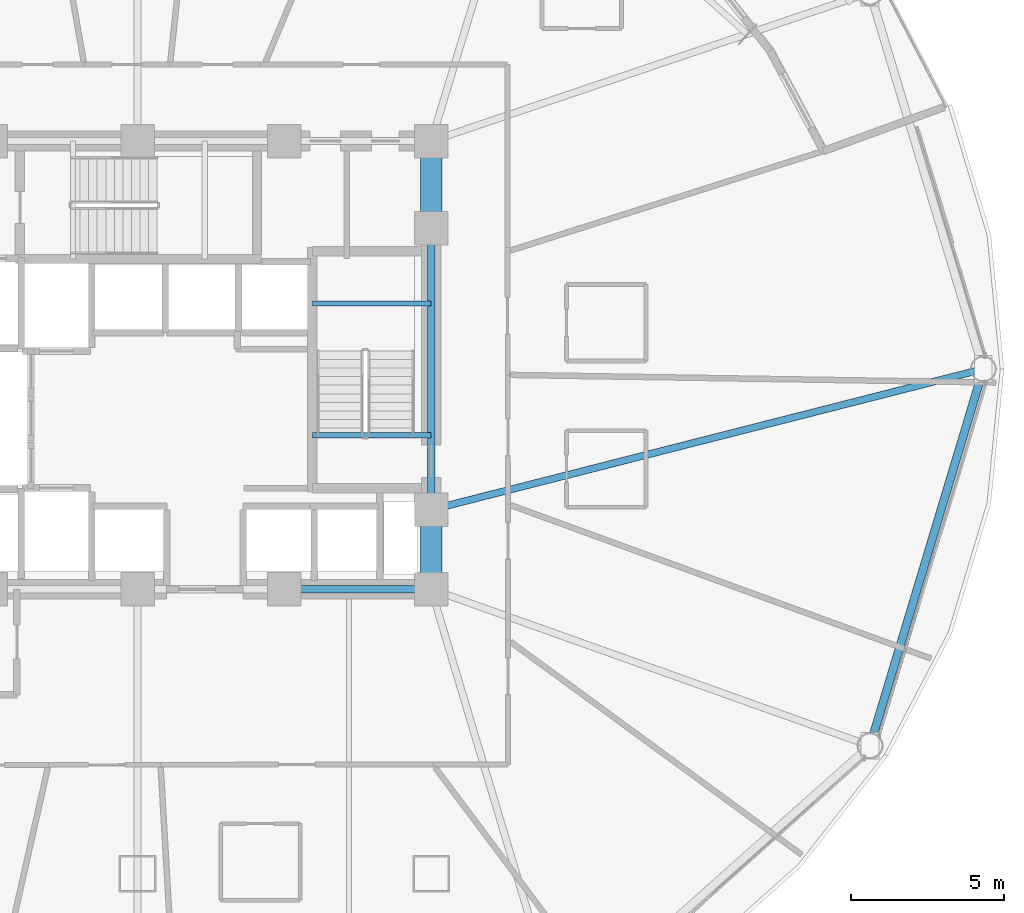
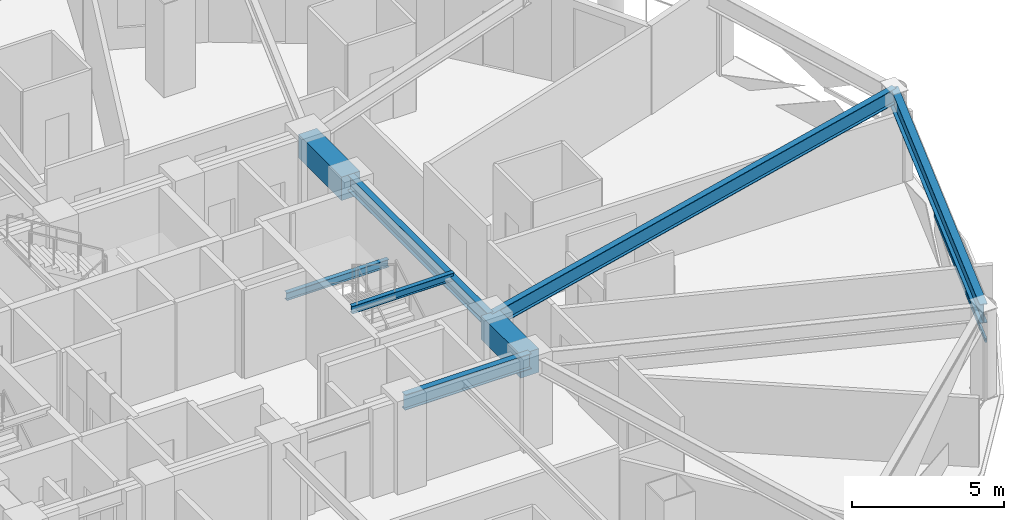
# One storey, part 11 of 33: 8 beams, 1 member, 1 element without a shape of its own.
"""IFC4 building model written with IfcOpenShell, lengths in metres."""

from ifc_helpers import new_model, si_unit, direction, frame, origin, origin_2d, place, context, subcontext, project, spatial, rectangle, hollow_rectangle, i_section, extrude, material, layer, layer_set, material_profile, profile_set, type_object, element, aggregate, save


model = new_model("IFC4")

# Units and contexts
model_context = context("Model", 3, precision=1e-05, world=origin(), true_north=direction((0.0, 1.0)))
body_context = subcontext(model_context, "Body", "Model", "MODEL_VIEW")
ifc_project = project(units=[si_unit("LENGTHUNIT", "METRE"), si_unit("AREAUNIT", "SQUARE_METRE"), si_unit("VOLUMEUNIT", "CUBIC_METRE"), si_unit("PLANEANGLEUNIT", "RADIAN"), si_unit("MASSUNIT", "GRAM", prefix="KILO")], contexts=[model_context])

# Site, building, storey
site_placement = place(None, origin())
site = spatial("IfcSite", under=ifc_project, at=site_placement, CompositionType="ELEMENT")
building_placement = place(site_placement, origin())
building = spatial("IfcBuilding", under=site, at=building_placement, Name="Vantalir Tower", CompositionType="ELEMENT")
storey_placement = place(building_placement, frame((0.0, 0.0, 68.25)))
storey = spatial("IfcBuildingStorey", under=building, at=storey_placement, Name="L16", CompositionType="ELEMENT", Elevation=68.25)

# Beams
ifc_material_1 = material(Name="Concrete C60/75", Category="concrete")
ifc_material_profile_1 = material_profile(ifc_material_1, rectangle(XDim=0.699951171875, YDim=0.949951171875, at=origin_2d()), Name="Concrete C60/75")
ifc_profile_set_1 = profile_set([ifc_material_profile_1], Name="Concrete C60/75")
beam_type_1 = type_object("IfcBeamType", Name="BM-CB-700x950", PredefinedType="USERDEFINED", material=ifc_profile_set_1)
beam_1_placement = place(storey_placement, frame((41.10009765625, 17.800048828125, 3.094970703125), z_axis=(0.0, 1.0, 0.0), x_axis=(-1.0, 0.0, 0.0)))
element("IfcBeam", 1, at=beam_1_placement, inside=storey, type_object=beam_type_1, Name="L16 Core Coupling Girder 05", ObjectType="GIRDER", PredefinedType="USERDEFINED", context=body_context, shape_type="SweptSolid", body=[
    extrude(rectangle(XDim=0.699951171875, YDim=0.949951171875, at=origin_2d()), origin(), (0.0, 0.0, 1.0), 2.599853515625),
])
beam_2_placement = place(storey_placement, frame((41.10009765625, 29.60009765625, 3.094970703125), z_axis=(0.0, 1.0, 0.0), x_axis=(-1.0, 0.0, 0.0)))
element("IfcBeam", 2, at=beam_2_placement, inside=storey, type_object=beam_type_1, Name="L16 Core Coupling Girder 07", ObjectType="GIRDER", PredefinedType="USERDEFINED", context=body_context, shape_type="SweptSolid", body=[
    extrude(rectangle(XDim=0.699951171875, YDim=0.949951171875, at=origin_2d()), origin(), (0.0, 0.0, 1.0), 2.849853515625),
])
ifc_material_2 = material(Name="Steel S355", Category="steel")
ifc_material_profile_2 = material_profile(ifc_material_2, i_section(OverallWidth=0.166015625, OverallDepth=0.306884765625, WebThickness=0.006591796875, FlangeThickness=0.01171875, at=origin_2d()), Name="Steel S355")
ifc_profile_set_2 = profile_set([ifc_material_profile_2], Name="Steel S355")
beam_type_2 = type_object("IfcBeamType", Name="BM-JS-305x165", PredefinedType="JOIST", material=ifc_profile_set_2)
for number, where, z_axis, x_axis, name in (
    (3, (37.2099609375, 22.8349609375, 3.595947265625), (1.0, 0.0, 0.0), (0.0, 1.0, 0.0), "L17 Stair ST2 Well Nosing Trimmer Beam"),
    (4, (37.2099609375, 27.14501953125, 1.52197265625), (1.0, 0.0, 0.0), (0.0, 1.0, 0.0), "L16 Stair ST2 Half-Landing Support Beam"),
):
    element("IfcBeam", number, at=place(storey_placement, frame(where, z_axis=z_axis, x_axis=x_axis)), inside=storey, type_object=beam_type_2, Name=name, PredefinedType="JOIST", context=body_context, shape_type="SweptSolid", body=[
        extrude(i_section(OverallWidth=0.166015625, OverallDepth=0.306884765625, WebThickness=0.006591796875, FlangeThickness=0.01171875, at=origin_2d()), origin(), (0.0, 0.0, 1.0), 3.89013671875),
    ])
ifc_material_profile_3 = material_profile(ifc_material_2, i_section(OverallWidth=0.22998046875, OverallDepth=0.616943359375, WebThickness=0.01318359375, FlangeThickness=0.022216796875, at=origin_2d()), Name="Steel S355")
ifc_profile_set_3 = profile_set([ifc_material_profile_3], Name="Steel S355")
beam_type_3 = type_object("IfcBeamType", Name="BM-RB-610x229", PredefinedType="BEAM", material=ifc_profile_set_3)
beam_3_placement = place(storey_placement, frame((36.300048828125, 17.800048828125, 3.261962890625), z_axis=(1.0, 0.0, 0.0), x_axis=(0.0, 1.0, 0.0)))
element("IfcBeam", 5, at=beam_3_placement, inside=storey, type_object=beam_type_3, Name="L16 Core Coupling Girder 04", PredefinedType="BEAM", context=body_context, shape_type="SweptSolid", body=[
    extrude(i_section(OverallWidth=0.22998046875, OverallDepth=0.616943359375, WebThickness=0.01318359375, FlangeThickness=0.022216796875, at=origin_2d()), origin(), (0.0, 0.0, 1.0), 4.800048828125),
])
beam_4_placement = place(storey_placement, frame((41.10009765625, 20.39990234375, 3.261962890625), z_axis=(0.0, 1.0, 0.0), x_axis=(-1.0, 0.0, 0.0)))
element("IfcBeam", 6, at=beam_4_placement, inside=storey, type_object=beam_type_3, Name="L16 Core Coupling Girder 06", PredefinedType="BEAM", context=body_context, shape_type="SweptSolid", body=[
    extrude(i_section(OverallWidth=0.22998046875, OverallDepth=0.616943359375, WebThickness=0.01318359375, FlangeThickness=0.022216796875, at=origin_2d()), origin(), (0.0, 0.0, 1.0), 9.2001953125),
])
beam_5_placement = place(storey_placement, frame((59.14990234375, 25.0, 3.261962890625), z_axis=(-0.969025237662, -0.246961715198, 0.0), x_axis=(0.246961715198, -0.969025237662, 0.0)))
element("IfcBeam", 7, at=beam_5_placement, inside=storey, type_object=beam_type_3, Name="L16 Radial Floor Beam 01", PredefinedType="BEAM", context=body_context, shape_type="SweptSolid", body=[
    extrude(i_section(OverallWidth=0.22998046875, OverallDepth=0.616943359375, WebThickness=0.01318359375, FlangeThickness=0.022216796875, at=origin_2d()), origin(), (0.0, 0.0, 1.0), 18.626708984375),
])
ifc_material_3 = material(Name="Steel S460", Category="steel")
ifc_material_profile_4 = material_profile(ifc_material_3, i_section(OverallWidth=0.26806640625, OverallDepth=0.77001953125, WebThickness=0.015625, FlangeThickness=0.025390625, at=origin_2d()), Name="Steel S460")
ifc_profile_set_4 = profile_set([ifc_material_profile_4], Name="Steel S460")
beam_type_4 = type_object("IfcBeamType", Name="BM-RG-762x267", PredefinedType="USERDEFINED", material=ifc_profile_set_4)
beam_6_placement = place(storey_placement, frame((55.446044921875, 12.68505859375, 3.18505859375), z_axis=(0.288016633723, 0.957625406252, 0.0), x_axis=(-0.957625406252, 0.288016633723, 0.0)))
element("IfcBeam", 8, at=beam_6_placement, inside=storey, type_object=beam_type_4, Name="L16 Circumferential Ring Girder 12", ObjectType="GIRDER", PredefinedType="USERDEFINED", context=body_context, shape_type="SweptSolid", body=[
    extrude(i_section(OverallWidth=0.26806640625, OverallDepth=0.77001953125, WebThickness=0.015625, FlangeThickness=0.025390625, at=origin_2d()), origin(), (0.0, 0.0, 1.0), 12.85986328125),
])

# Curtain wall, member
ifc_material_4 = material(Name="Champagne-silver PVDF aluminium and double-silver Low-E glass", Category="aluminium")
ifc_layer = layer(ifc_material_4, 0.18994140625)
ifc_layer_set = layer_set([ifc_layer], Name="Champagne-silver PVDF aluminium and double-silver Low-E glass")
curtain_wall_type = type_object("IfcCurtainWallType", Name="CW-DIAMOND-Z1", PredefinedType="USERDEFINED", material=ifc_layer_set)
curtain_wall_placement = place(storey_placement, origin())
curtain_wall = element("IfcCurtainWall", 9, at=curtain_wall_placement, inside=storey, type_object=curtain_wall_type, Name="L16 Quilted Pyramid-Diamond Curtain Wall S12", ObjectType="UNITISED CURTAIN WALL", PredefinedType="USERDEFINED")
ifc_material_5 = material(Name="Champagne-silver PVDF aluminium 6063-T6", Category="aluminium")
ifc_material_profile_5 = material_profile(ifc_material_5, hollow_rectangle(XDim=0.074951171875, YDim=0.159912109375, WallThickness=0.00390625, at=origin_2d()), Name="Champagne-silver PVDF aluminium 6063-T6")
ifc_profile_set_5 = profile_set([ifc_material_profile_5], Name="Champagne-silver PVDF aluminium 6063-T6")
member_type = type_object("IfcMemberType", Name="CWT-160x75", PredefinedType="USERDEFINED", material=ifc_profile_set_5)
member_placement = place(storey_placement, frame((55.7451171875, 13.0400390625, 1.784912109375), z_axis=(0.290954397623, 0.956736922306, 0.0), x_axis=(-0.956736922306, 0.290954397623, 0.0)))
member = element("IfcMember", 10, at=member_placement, type_object=member_type, Name="CW-L16-S12 Pyramid Fold Ridge Transom", ObjectType="TRANSOM", PredefinedType="USERDEFINED", context=body_context, shape_type="SweptSolid", body=[
    extrude(hollow_rectangle(XDim=0.074951171875, YDim=0.159912109375, WallThickness=0.00390625, at=origin_2d()), origin(), (0.0, 0.0, 1.0), 7.45458984375),
])
aggregate(curtain_wall, [member])

save(model, "model.ifc")
